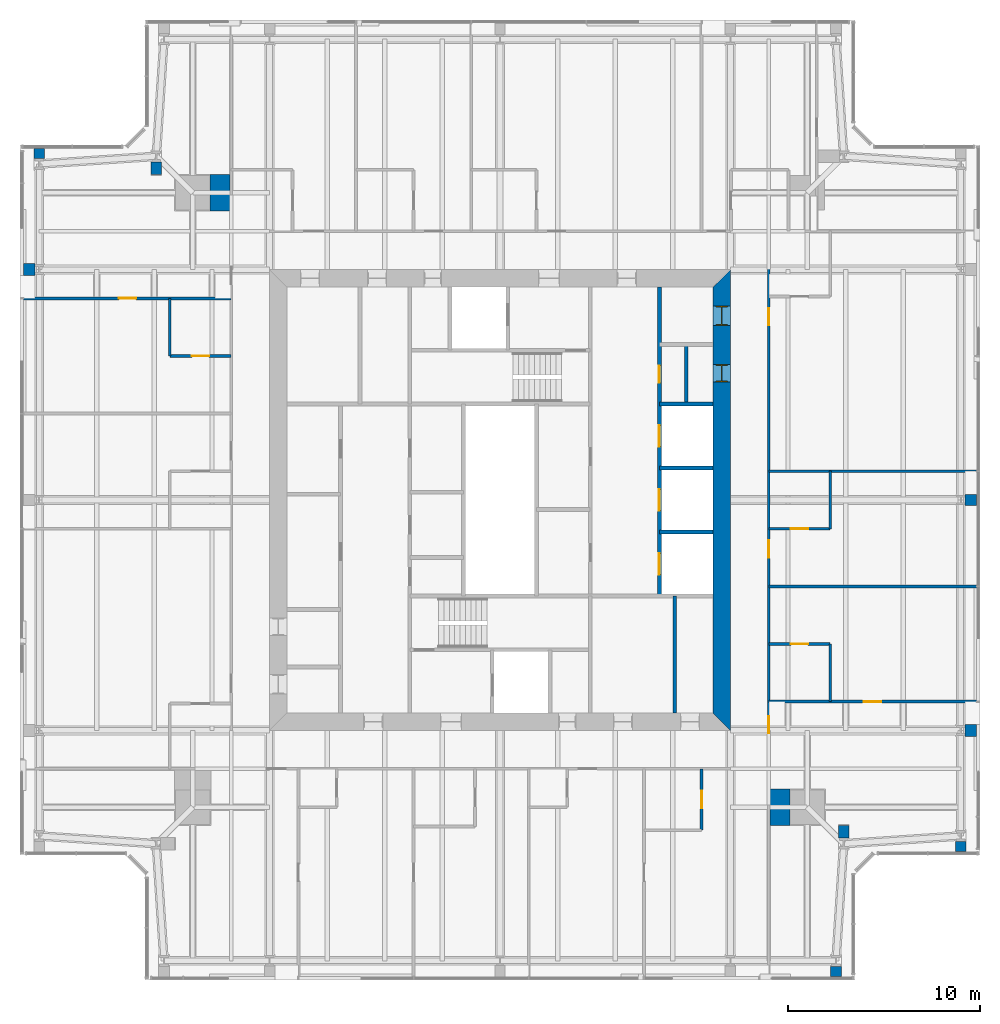
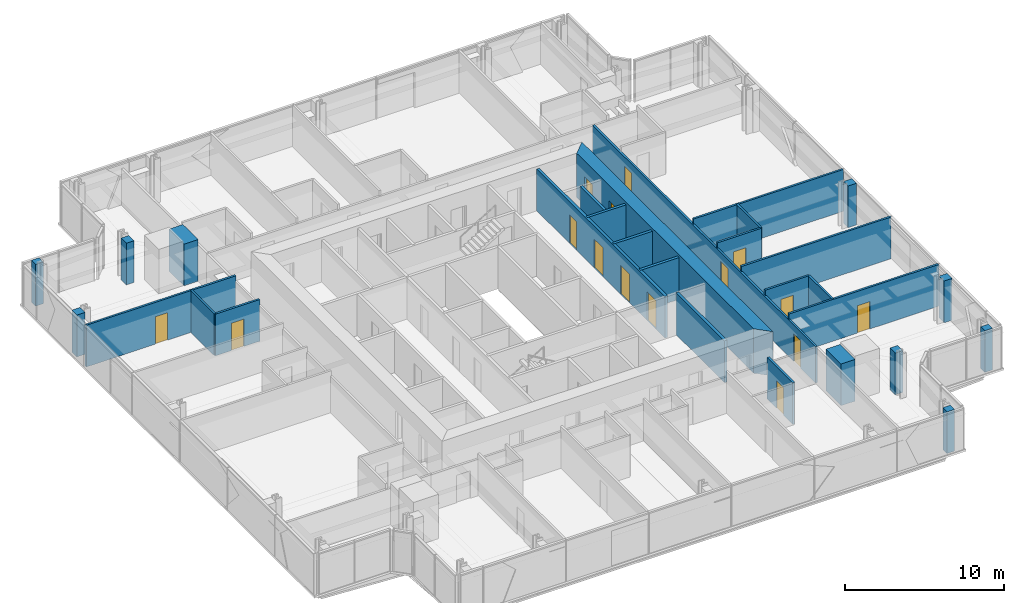
# One storey, part 13 of 18: 29 walls, 15 doors, 15 openings.
"""IFC4 building model written with IfcOpenShell, lengths in metres."""

from ifc_helpers import new_model, si_unit, direction, frame, frame_2d, origin, place, context, subcontext, project, spatial, polyline, rectangle, outline, extrude, material, layer, layer_set, type_object, element, fill, save


model = new_model("IFC4")

# Units and contexts
model_context = context("Model", 3, precision=1e-05, world=origin(), true_north=direction((0.0, 1.0)))
body_context = subcontext(model_context, "Body", "Model", "MODEL_VIEW")
ifc_project = project(units=[si_unit("LENGTHUNIT", "METRE"), si_unit("AREAUNIT", "SQUARE_METRE"), si_unit("VOLUMEUNIT", "CUBIC_METRE"), si_unit("PLANEANGLEUNIT", "RADIAN"), si_unit("MASSUNIT", "GRAM", prefix="KILO")], contexts=[model_context])

# Site, building, storey
site_placement = place(None, origin())
site = spatial("IfcSite", under=ifc_project, at=site_placement, CompositionType="ELEMENT")
building_placement = place(site_placement, origin())
building = spatial("IfcBuilding", under=site, at=building_placement, Name="Fenwick Lantern Interchange", CompositionType="ELEMENT")
storey_placement = place(building_placement, frame((0.0, 0.0, 293.39990234375)))
storey = spatial("IfcBuildingStorey", under=building, at=storey_placement, Name="L71", CompositionType="ELEMENT", Elevation=293.39990234375)

# Walls
ifc_material_1 = material(Name="Fire-rated gypsum board encasement on steel studs, 2 hour", Category="steel")
ifc_layer_1 = layer(ifc_material_1, 1.89990234375)
ifc_layer_set_1 = layer_set([ifc_layer_1], Name="COLUMN PIER 1900")
wall_type_1 = type_object("IfcWallType", Name="COLUMN PIER 1900", PredefinedType="PARTITIONING", material=ifc_layer_set_1)
for number, where, z_axis, x_axis, name in (
    (1, (39.074951171875, 9.0, 0.0), (0.0, 0.0, 1.0), (1.0, 0.0, 0.0), "L71/W/PIER/M2"),
    (2, (10.925048828125, 41.0, 0.0), (0.0, 0.0, 1.0), (-1.0, 0.0, 0.0), "L71/W/PIER/M4"),
):
    element("IfcWall", number, at=place(storey_placement, frame(where, z_axis=z_axis, x_axis=x_axis)), inside=storey, type_object=wall_type_1, Name=name, PredefinedType="PARTITIONING", context=body_context, shape_type="SweptSolid", body=[
        extrude(rectangle(XDim=1.025146484375, YDim=1.89990234375, at=frame_2d((0.5126953125, 0.0))), origin(), (0.0, 0.0, 1.0), 3.2001953125),
    ])
ifc_layer_2 = layer(ifc_material_1, 0.554931640625)
ifc_layer_set_2 = layer_set([ifc_layer_2], Name="COLUMN PIER 555")
wall_type_2 = type_object("IfcWallType", Name="COLUMN PIER 555", PredefinedType="PARTITIONING", material=ifc_layer_set_2)
wall_1_placement = place(storey_placement, frame((42.5, 0.18994140625, 0.0), z_axis=(0.0, 0.0, 1.0), x_axis=(0.0, 1.0, 0.0)))
element("IfcWall", 3, at=wall_1_placement, inside=storey, type_object=wall_type_2, Name="L71/W/PIER/CS5", PredefinedType="PARTITIONING", context=body_context, shape_type="SweptSolid", body=[
    extrude(rectangle(XDim=0.525634765625, YDim=0.554931640625, at=frame_2d((0.2626953125, 0.0))), origin(), (0.0, 0.0, 1.0), 3.2001953125),
])
wall_2_placement = place(storey_placement, frame((42.89990234375, 8.050048828125, 0.0), z_axis=(0.0, 0.0, 1.0), x_axis=(0.0, -1.0, 0.0)))
element("IfcWall", 4, at=wall_2_placement, inside=storey, type_object=wall_type_2, Name="L71/W/PIER/CSR", PredefinedType="PARTITIONING", context=body_context, shape_type="SweptSolid", body=[
    extrude(rectangle(XDim=0.66552734375, YDim=0.554931640625, at=frame_2d((0.332763671875, 0.0))), origin(), (0.0, 0.0, 1.0), 3.2001953125),
])
wall_3_placement = place(storey_placement, frame((49.0, 6.68994140625, 0.0), z_axis=(0.0, 0.0, 1.0), x_axis=(0.0, 1.0, 0.0)))
element("IfcWall", 5, at=wall_3_placement, inside=storey, type_object=wall_type_2, Name="L71/W/PIER/CE1", PredefinedType="PARTITIONING", context=body_context, shape_type="SweptSolid", body=[
    extrude(rectangle(XDim=0.525634765625, YDim=0.554931640625, at=frame_2d((0.2626953125, 0.0))), origin(), (0.0, 0.0, 1.0), 3.2001953125),
])
wall_4_placement = place(storey_placement, frame((7.10009765625, 41.949951171875, 0.0), z_axis=(0.0, 0.0, 1.0), x_axis=(0.0, 1.0, 0.0)))
element("IfcWall", 6, at=wall_4_placement, inside=storey, type_object=wall_type_2, Name="L71/W/PIER/CNR", PredefinedType="PARTITIONING", context=body_context, shape_type="SweptSolid", body=[
    extrude(rectangle(XDim=0.66552734375, YDim=0.554931640625, at=frame_2d((0.332763671875, 0.0))), origin(), (0.0, 0.0, 1.0), 3.2001953125),
])
wall_5_placement = place(storey_placement, frame((1.0, 43.31005859375, 0.0), z_axis=(0.0, 0.0, 1.0), x_axis=(0.0, -1.0, 0.0)))
element("IfcWall", 7, at=wall_5_placement, inside=storey, type_object=wall_type_2, Name="L71/W/PIER/CW1", PredefinedType="PARTITIONING", context=body_context, shape_type="SweptSolid", body=[
    extrude(rectangle(XDim=0.525634765625, YDim=0.554931640625, at=frame_2d((0.2626953125, 0.0))), origin(), (0.0, 0.0, 1.0), 3.2001953125),
])
ifc_layer_3 = layer(ifc_material_1, 0.574951171875)
ifc_layer_set_3 = layer_set([ifc_layer_3], Name="COLUMN PIER 575")
wall_type_3 = type_object("IfcWallType", Name="COLUMN PIER 575", PredefinedType="PARTITIONING", material=ifc_layer_set_3)
wall_6_placement = place(storey_placement, frame((49.81005859375, 25.0, 0.0), z_axis=(0.0, 0.0, 1.0), x_axis=(-1.0, 0.0, 0.0)))
element("IfcWall", 8, at=wall_6_placement, inside=storey, type_object=wall_type_3, Name="L71/W/PIER/CE3", PredefinedType="PARTITIONING", context=body_context, shape_type="SweptSolid", body=[
    extrude(rectangle(XDim=0.597900390625, YDim=0.574951171875, at=frame_2d((0.298828125, 0.0))), origin(), (0.0, 0.0, 1.0), 3.2001953125),
])
ifc_layer_4 = layer(ifc_material_1, 0.631103515625)
ifc_layer_set_4 = layer_set([ifc_layer_4], Name="COLUMN PIER 631")
wall_type_4 = type_object("IfcWallType", Name="COLUMN PIER 631", PredefinedType="PARTITIONING", material=ifc_layer_set_4)
for number, where, z_axis, x_axis, name in (
    (9, (49.81005859375, 13.0, 0.0), (0.0, 0.0, 1.0), (-1.0, 0.0, 0.0), "L71/W/PIER/CE2"),
    (10, (0.18994140625, 37.0, 0.0), (0.0, 0.0, 1.0), (1.0, 0.0, 0.0), "L71/W/PIER/CW2"),
):
    element("IfcWall", number, at=place(storey_placement, frame(where, z_axis=z_axis, x_axis=x_axis)), inside=storey, type_object=wall_type_4, Name=name, PredefinedType="PARTITIONING", context=body_context, shape_type="SweptSolid", body=[
        extrude(rectangle(XDim=0.589111328125, YDim=0.631103515625, at=frame_2d((0.29443359375, 0.0))), origin(), (0.0, 0.0, 1.0), 3.2001953125),
    ])
ifc_material_2 = material(Name="Concrete masonry ASTM C90 Grade N", Category="masonry")
ifc_layer_5 = layer(ifc_material_2, 0.199951171875)
ifc_layer_set_5 = layer_set([ifc_layer_5], Name="Concrete masonry ASTM C90 Grade N")
wall_type_5 = type_object("IfcWallType", Name="CORE PARTITION 200", PredefinedType="PARTITIONING", material=ifc_layer_set_5)
wall_7_placement = place(storey_placement, frame((34.10009765625, 13.89990234375, 0.0), z_axis=(0.0, 0.0, 1.0), x_axis=(0.0, 1.0, 0.0)))
element("IfcWall", 11, at=wall_7_placement, inside=storey, type_object=wall_type_5, Name="L71/W/CORES/i2", PredefinedType="PARTITIONING", context=body_context, shape_type="SweptSolid", body=[
    extrude(rectangle(XDim=6.10009765625, YDim=0.199951171875, at=frame_2d((3.050048828125, 0.0))), origin(), (0.0, 0.0, 1.0), 3.2001953125),
])

# Wall, openings, doors
wall_8_placement = place(storey_placement, frame((33.300048828125, 36.10009765625, 0.0), z_axis=(0.0, 0.0, 1.0), x_axis=(0.0, -1.0, 0.0)))
wall_8 = element("IfcWall", 12, at=wall_8_placement, inside=storey, type_object=wall_type_5, Name="L71/W/COREN/a", PredefinedType="PARTITIONING", context=body_context, shape_type="SweptSolid", body=[
    extrude(rectangle(XDim=16.10009765625, YDim=0.199951171875, at=frame_2d((8.050048828125, 0.0))), origin(), (0.0, 0.0, 1.0), 3.2001953125),
])
opening_1_placement = place(wall_8_placement, frame((4.10009765625, 0.0, 0.0)))
opening_1 = element("IfcOpeningElement", 13, at=opening_1_placement, cuts=wall_8, Name="Opening L71-D021", PredefinedType="OPENING", context=body_context, shape_type="SweptSolid", body=[
    extrude(rectangle(XDim=0.89990234375, YDim=2.199951171875, at=frame_2d((0.449951171875, 1.10009765625))), frame((0.0, 0.10986328125, 0.0), z_axis=(0.0, -1.0, 0.0), x_axis=(1.0, 0.0, 0.0)), (0.0, 0.0, 1.0), 0.219970703125),
])
opening_2_placement = place(wall_8_placement, frame((7.216552734375, 0.0, 0.0)))
opening_2 = element("IfcOpeningElement", 14, at=opening_2_placement, cuts=wall_8, Name="Opening LD-E1-1", PredefinedType="OPENING", context=body_context, shape_type="SweptSolid", body=[
    extrude(rectangle(XDim=1.10009765625, YDim=2.199951171875, at=frame_2d((0.550048828125, 1.10009765625))), frame((0.0, 0.10986328125, 0.0), z_axis=(0.0, -1.0, 0.0), x_axis=(1.0, 0.0, 0.0)), (0.0, 0.0, 1.0), 0.219970703125),
])
opening_3_placement = place(wall_8_placement, frame((10.550048828125, 0.0, 0.0)))
opening_3 = element("IfcOpeningElement", 15, at=opening_3_placement, cuts=wall_8, Name="Opening LD-E1-2", PredefinedType="OPENING", context=body_context, shape_type="SweptSolid", body=[
    extrude(rectangle(XDim=1.10009765625, YDim=2.199951171875, at=frame_2d((0.550048828125, 1.10009765625))), frame((0.0, 0.10986328125, 0.0), z_axis=(0.0, -1.0, 0.0), x_axis=(1.0, 0.0, 0.0)), (0.0, 0.0, 1.0), 0.219970703125),
])
opening_4_placement = place(wall_8_placement, frame((13.88330078125, 0.0, 0.0)))
opening_4 = element("IfcOpeningElement", 16, at=opening_4_placement, cuts=wall_8, Name="Opening LD-E1-3", PredefinedType="OPENING", context=body_context, shape_type="SweptSolid", body=[
    extrude(rectangle(XDim=1.10009765625, YDim=2.199951171875, at=frame_2d((0.550048828125, 1.10009765625))), frame((0.0, 0.10986328125, 0.0), z_axis=(0.0, -1.0, 0.0), x_axis=(1.0, 0.0, 0.0)), (0.0, 0.0, 1.0), 0.219970703125),
])
ifc_material_3 = material(Name="Steel door and frame", Category="steel")
door_type_1 = type_object("IfcDoorType", Name="LIFT LANDING DOOR 1100 X 2200", OperationType="DOUBLE_DOOR_SLIDING", PredefinedType="DOOR", material=ifc_material_3)
door_1_placement = place(opening_2_placement, origin())
door_1 = element("IfcDoor", 17, at=door_1_placement, inside=storey, type_object=door_type_1, Name="Lift landing door E1-1", OperationType="DOUBLE_DOOR_SLIDING", OverallHeight=2.199951171875, OverallWidth=1.10009765625, PredefinedType="DOOR", context=body_context, shape_type="SweptSolid", body=[
    extrude(rectangle(XDim=1.10009765625, YDim=2.199951171875, at=frame_2d((0.550048828125, 1.10009765625))), frame((0.0, 0.02490234375, 0.0), z_axis=(0.0, -1.0, 0.0), x_axis=(1.0, 0.0, 0.0)), (0.0, 0.0, 1.0), 0.050048828125),
])
fill(opening_2, door_1)
door_2_placement = place(opening_3_placement, origin())
door_2 = element("IfcDoor", 18, at=door_2_placement, inside=storey, type_object=door_type_1, Name="Lift landing door E1-2", OperationType="DOUBLE_DOOR_SLIDING", OverallHeight=2.199951171875, OverallWidth=1.10009765625, PredefinedType="DOOR", context=body_context, shape_type="SweptSolid", body=[
    extrude(rectangle(XDim=1.10009765625, YDim=2.199951171875, at=frame_2d((0.550048828125, 1.10009765625))), frame((0.0, 0.02490234375, 0.0), z_axis=(0.0, -1.0, 0.0), x_axis=(1.0, 0.0, 0.0)), (0.0, 0.0, 1.0), 0.050048828125),
])
fill(opening_3, door_2)
door_3_placement = place(opening_4_placement, origin())
door_3 = element("IfcDoor", 19, at=door_3_placement, inside=storey, type_object=door_type_1, Name="Lift landing door E1-3", OperationType="DOUBLE_DOOR_SLIDING", OverallHeight=2.199951171875, OverallWidth=1.10009765625, PredefinedType="DOOR", context=body_context, shape_type="SweptSolid", body=[
    extrude(rectangle(XDim=1.10009765625, YDim=2.199951171875, at=frame_2d((0.550048828125, 1.10009765625))), frame((0.0, 0.02490234375, 0.0), z_axis=(0.0, -1.0, 0.0), x_axis=(1.0, 0.0, 0.0)), (0.0, 0.0, 1.0), 0.050048828125),
])
fill(opening_4, door_3)
door_type_2 = type_object("IfcDoorType", Name="SERVICE DOOR 900 X 2200", OperationType="SINGLE_SWING_LEFT", PredefinedType="DOOR", material=ifc_material_3)
door_4_placement = place(opening_1_placement, origin())
door_4 = element("IfcDoor", 20, at=door_4_placement, inside=storey, type_object=door_type_2, Name="Service door", OperationType="SINGLE_SWING_LEFT", OverallHeight=2.199951171875, OverallWidth=0.89990234375, PredefinedType="DOOR", context=body_context, shape_type="SweptSolid", body=[
    extrude(rectangle(XDim=0.89990234375, YDim=2.199951171875, at=frame_2d((0.449951171875, 1.10009765625))), frame((0.0, 0.02490234375, 0.0), z_axis=(0.0, -1.0, 0.0), x_axis=(1.0, 0.0, 0.0)), (0.0, 0.0, 1.0), 0.050048828125),
])
fill(opening_1, door_4)

# Walls
for number, where, z_axis, x_axis, name in (
    (21, (36.10009765625, 30.0, 0.0), (0.0, 0.0, 1.0), (-1.0, 0.0, 0.0), "L71/W/COREN/c2"),
    (22, (36.10009765625, 26.666748046875, 0.0), (0.0, 0.0, 1.0), (-1.0, 0.0, 0.0), "L71/W/COREN/d1"),
    (23, (36.10009765625, 23.333251953125, 0.0), (0.0, 0.0, 1.0), (-1.0, 0.0, 0.0), "L71/W/COREN/d2"),
):
    element("IfcWall", number, at=place(storey_placement, frame(where, z_axis=z_axis, x_axis=x_axis)), inside=storey, type_object=wall_type_5, Name=name, PredefinedType="PARTITIONING", context=body_context, shape_type="SweptSolid", body=[
        extrude(rectangle(XDim=2.800048828125, YDim=0.199951171875, at=frame_2d((1.39990234375, 0.0))), origin(), (0.0, 0.0, 1.0), 3.2001953125),
    ])
wall_9_placement = place(storey_placement, frame((34.699951171875, 33.10009765625, 0.0), z_axis=(0.0, 0.0, 1.0), x_axis=(0.0, -1.0, 0.0)))
element("IfcWall", 24, at=wall_9_placement, inside=storey, type_object=wall_type_5, Name="L71/W/COREN/px", PredefinedType="PARTITIONING", context=body_context, shape_type="SweptSolid", body=[
    extrude(rectangle(XDim=3.10009765625, YDim=0.199951171875, at=frame_2d((1.550048828125, 0.0))), origin(), (0.0, 0.0, 1.0), 3.2001953125),
])

# Wall, openings, doors
ifc_material_4 = material(Name="Concrete f'c 70 MPa", Category="concrete")
ifc_layer_6 = layer(ifc_material_4, 0.89990234375)
ifc_layer_set_6 = layer_set([ifc_layer_6], Name="CORE WALL 900")
wall_type_6 = type_object("IfcWallType", Name="CORE WALL 900", PredefinedType="SHEAR", material=ifc_layer_set_6)
wall_10_placement = place(storey_placement, frame((36.550048828125, 13.89990234375, 0.0), z_axis=(0.0, 0.0, 1.0), x_axis=(0.0, 1.0, 0.0)))
wall_10 = element("IfcWall", 25, at=wall_10_placement, inside=storey, type_object=wall_type_6, Name="L71/CORE/E", PredefinedType="SHEAR", context=body_context, shape_type="SweptSolid", body=[
    extrude(outline(polyline([(-0.89990234375, -0.449951171875), (23.10009765625, -0.449951171875), (22.199951171875, 0.449951171875), (0.0, 0.449951171875), (-0.89990234375, -0.449951171875)])), origin(), (0.0, 0.0, 1.0), 3.400146484375),
])
opening_5_placement = place(wall_10_placement, frame((20.199951171875, 0.0, 0.0)))
opening_5 = element("IfcOpeningElement", 26, at=opening_5_placement, cuts=wall_10, Name="Opening L71-D020", PredefinedType="OPENING", context=body_context, shape_type="SweptSolid", body=[
    extrude(rectangle(XDim=1.0, YDim=2.199951171875, at=frame_2d((0.5, 1.10009765625))), frame((0.0, 0.4599609375, 0.0), z_axis=(0.0, -1.0, 0.0), x_axis=(1.0, 0.0, 0.0)), (0.0, 0.0, 1.0), 0.919921875),
])
opening_6_placement = place(wall_10_placement, frame((17.25, 0.0, 0.0)))
opening_6 = element("IfcOpeningElement", 27, at=opening_6_placement, cuts=wall_10, Name="Opening L71-D022", PredefinedType="OPENING", context=body_context, shape_type="SweptSolid", body=[
    extrude(rectangle(XDim=0.89990234375, YDim=2.199951171875, at=frame_2d((0.449951171875, 1.10009765625))), frame((0.0, 0.4599609375, 0.0), z_axis=(0.0, -1.0, 0.0), x_axis=(1.0, 0.0, 0.0)), (0.0, 0.0, 1.0), 0.919921875),
])
door_5_placement = place(opening_6_placement, origin())
door_5 = element("IfcDoor", 28, at=door_5_placement, inside=storey, type_object=door_type_2, Name="Service door", OperationType="SINGLE_SWING_RIGHT", OverallHeight=2.199951171875, OverallWidth=0.89990234375, PredefinedType="DOOR", context=body_context, shape_type="SweptSolid", body=[
    extrude(rectangle(XDim=0.89990234375, YDim=2.199951171875, at=frame_2d((0.449951171875, 1.10009765625))), frame((0.0, 0.02490234375, 0.0), z_axis=(0.0, -1.0, 0.0), x_axis=(1.0, 0.0, 0.0)), (0.0, 0.0, 1.0), 0.050048828125),
    extrude(outline(polyline([(0.0, 0.0), (0.0400390625, 0.0), (0.0400390625, 2.159912109375), (0.85986328125, 2.159912109375), (0.85986328125, 0.0), (0.89990234375, 0.0), (0.89990234375, 2.199951171875), (0.0, 2.199951171875), (0.0, 0.0)])), frame((0.0, 0.300048828125, 0.0), z_axis=(0.0, -1.0, 0.0), x_axis=(1.0, 0.0, 0.0)), (0.0, 0.0, 1.0), 0.60009765625),
])
fill(opening_6, door_5)
ifc_material_5 = material(Name="Hardwood door and steel frame", Category="steel")
door_type_3 = type_object("IfcDoorType", Name="WC DOOR 1000 X 2200", OperationType="SINGLE_SWING_LEFT", PredefinedType="DOOR", material=ifc_material_5)
door_6_placement = place(opening_5_placement, origin())
door_6 = element("IfcDoor", 29, at=door_6_placement, inside=storey, type_object=door_type_3, Name="Wc door", OperationType="SINGLE_SWING_LEFT", OverallHeight=2.199951171875, OverallWidth=1.0, PredefinedType="DOOR", context=body_context, shape_type="SweptSolid", body=[
    extrude(rectangle(XDim=1.0, YDim=2.199951171875, at=frame_2d((0.5, 1.10009765625))), frame((0.0, 0.02490234375, 0.0), z_axis=(0.0, -1.0, 0.0), x_axis=(1.0, 0.0, 0.0)), (0.0, 0.0, 1.0), 0.050048828125),
    extrude(outline(polyline([(0.0, 0.0), (0.0400390625, 0.0), (0.0400390625, 2.159912109375), (0.9599609375, 2.159912109375), (0.9599609375, 0.0), (1.0, 0.0), (1.0, 2.199951171875), (0.0, 2.199951171875), (0.0, 0.0)])), frame((0.0, 0.300048828125, 0.0), z_axis=(0.0, -1.0, 0.0), x_axis=(1.0, 0.0, 0.0)), (0.0, 0.0, 1.0), 0.60009765625),
])
fill(opening_5, door_6)

ifc_material_6 = material(Name="Gypsum board on steel studs, 1 hour", Category="steel")
ifc_layer_7 = layer(ifc_material_6, 0.14990234375)
ifc_layer_set_7 = layer_set([ifc_layer_7], Name="CORRIDOR WALL 150")
wall_type_7 = type_object("IfcWallType", Name="CORRIDOR WALL 150", PredefinedType="PARTITIONING", material=ifc_layer_set_7)
wall_11_placement = place(storey_placement, frame((39.0, 11.0, 0.0), z_axis=(0.0, 0.0, 1.0), x_axis=(0.0, 1.0, 0.0)))
wall_11 = element("IfcWall", 30, at=wall_11_placement, inside=storey, type_object=wall_type_7, Name="L71/W/HOTEL/E/CW", PredefinedType="PARTITIONING", context=body_context, shape_type="SweptSolid", body=[
    extrude(rectangle(XDim=28.0, YDim=0.14990234375, at=frame_2d((14.0, 0.0))), origin(), (0.0, 0.0, 1.0), 2.793701171875),
])
opening_7_placement = place(wall_11_placement, frame((1.85009765625, 0.0, 0.0)))
opening_7 = element("IfcOpeningElement", 31, at=opening_7_placement, cuts=wall_11, Name="Opening L71-D034", PredefinedType="OPENING", context=body_context, shape_type="SweptSolid", body=[
    extrude(rectangle(XDim=0.89990234375, YDim=2.10009765625, at=frame_2d((0.449951171875, 1.050048828125))), frame((0.0, 0.0849609375, 0.0), z_axis=(0.0, -1.0, 0.0), x_axis=(1.0, 0.0, 0.0)), (0.0, 0.0, 1.0), 0.169921875),
])
opening_8_placement = place(wall_11_placement, frame((11.0, 0.0, 0.0)))
opening_8 = element("IfcOpeningElement", 32, at=opening_8_placement, cuts=wall_11, Name="Opening L71-D038", PredefinedType="OPENING", context=body_context, shape_type="SweptSolid", body=[
    extrude(rectangle(XDim=0.89990234375, YDim=2.10009765625, at=frame_2d((0.449951171875, 1.050048828125))), frame((0.0, 0.0849609375, 0.0), z_axis=(0.0, -1.0, 0.0), x_axis=(1.0, 0.0, 0.0)), (0.0, 0.0, 1.0), 0.169921875),
])
opening_9_placement = place(wall_11_placement, frame((23.10009765625, 0.0, 0.0)))
opening_9 = element("IfcOpeningElement", 33, at=opening_9_placement, cuts=wall_11, Name="Opening L71-D040", PredefinedType="OPENING", context=body_context, shape_type="SweptSolid", body=[
    extrude(rectangle(XDim=0.89990234375, YDim=2.10009765625, at=frame_2d((0.449951171875, 1.050048828125))), frame((0.0, 0.0849609375, 0.0), z_axis=(0.0, -1.0, 0.0), x_axis=(1.0, 0.0, 0.0)), (0.0, 0.0, 1.0), 0.169921875),
])
door_type_4 = type_object("IfcDoorType", Name="GUEST ROOM DOOR 900 X 2100", OperationType="SINGLE_SWING_LEFT", PredefinedType="DOOR", material=ifc_material_3)
door_7_placement = place(opening_7_placement, frame((0.89990234375, 0.0, 0.0), z_axis=(0.0, 0.0, 1.0), x_axis=(-1.0, 0.0, 0.0)))
door_7 = element("IfcDoor", 34, at=door_7_placement, inside=storey, type_object=door_type_4, Name="Guest room door", OperationType="SINGLE_SWING_LEFT", OverallHeight=2.10009765625, OverallWidth=0.89990234375, PredefinedType="DOOR", context=body_context, shape_type="SweptSolid", body=[
    extrude(rectangle(XDim=0.89990234375, YDim=2.10009765625, at=frame_2d((0.449951171875, 1.050048828125))), frame((0.0, 0.02490234375, 0.0), z_axis=(0.0, -1.0, 0.0), x_axis=(1.0, 0.0, 0.0)), (0.0, 0.0, 1.0), 0.050048828125),
])
fill(opening_7, door_7)
door_8_placement = place(opening_8_placement, frame((0.89990234375, 0.0, 0.0), z_axis=(0.0, 0.0, 1.0), x_axis=(-1.0, 0.0, 0.0)))
door_8 = element("IfcDoor", 35, at=door_8_placement, inside=storey, type_object=door_type_4, Name="Guest room door", OperationType="SINGLE_SWING_LEFT", OverallHeight=2.10009765625, OverallWidth=0.89990234375, PredefinedType="DOOR", context=body_context, shape_type="SweptSolid", body=[
    extrude(rectangle(XDim=0.89990234375, YDim=2.10009765625, at=frame_2d((0.449951171875, 1.050048828125))), frame((0.0, 0.02490234375, 0.0), z_axis=(0.0, -1.0, 0.0), x_axis=(1.0, 0.0, 0.0)), (0.0, 0.0, 1.0), 0.050048828125),
])
fill(opening_8, door_8)
door_9_placement = place(opening_9_placement, frame((0.89990234375, 0.0, 0.0), z_axis=(0.0, 0.0, 1.0), x_axis=(-1.0, 0.0, 0.0)))
door_9 = element("IfcDoor", 36, at=door_9_placement, inside=storey, type_object=door_type_4, Name="Guest room door", OperationType="SINGLE_SWING_LEFT", OverallHeight=2.10009765625, OverallWidth=0.89990234375, PredefinedType="DOOR", context=body_context, shape_type="SweptSolid", body=[
    extrude(rectangle(XDim=0.89990234375, YDim=2.10009765625, at=frame_2d((0.449951171875, 1.050048828125))), frame((0.0, 0.02490234375, 0.0), z_axis=(0.0, -1.0, 0.0), x_axis=(1.0, 0.0, 0.0)), (0.0, 0.0, 1.0), 0.050048828125),
])
fill(opening_9, door_9)

# Wall, opening, door
ifc_material_7 = material(Name="Gypsum board on steel studs, moisture resistant", Category="steel")
ifc_layer_8 = layer(ifc_material_7, 0.14990234375)
ifc_layer_set_8 = layer_set([ifc_layer_8], Name="EN-SUITE WALL 150")
wall_type_8 = type_object("IfcWallType", Name="EN-SUITE WALL 150", PredefinedType="PARTITIONING", material=ifc_layer_set_8)
wall_12_placement = place(storey_placement, frame((35.5, 7.800048828125, 0.0), z_axis=(0.0, 0.0, 1.0), x_axis=(0.0, 1.0, 0.0)))
wall_12 = element("IfcWall", 37, at=wall_12_placement, inside=storey, type_object=wall_type_8, Name="L71/W/HOTEL/S/U2BX", PredefinedType="PARTITIONING", context=body_context, shape_type="SweptSolid", body=[
    extrude(rectangle(XDim=3.199951171875, YDim=0.14990234375, at=frame_2d((1.60009765625, 0.0))), origin(), (0.0, 0.0, 1.0), 3.2001953125),
])
opening_10_placement = place(wall_12_placement, frame((1.14990234375, 0.0, 0.0)))
opening_10 = element("IfcOpeningElement", 38, at=opening_10_placement, cuts=wall_12, Name="Opening L71-D032", PredefinedType="OPENING", context=body_context, shape_type="SweptSolid", body=[
    extrude(rectangle(XDim=0.89990234375, YDim=2.10009765625, at=frame_2d((0.449951171875, 1.050048828125))), frame((0.0, 0.0849609375, 0.0), z_axis=(0.0, -1.0, 0.0), x_axis=(1.0, 0.0, 0.0)), (0.0, 0.0, 1.0), 0.169921875),
])
door_type_5 = type_object("IfcDoorType", Name="EN-SUITE DOOR 900 X 2100", OperationType="SINGLE_SWING_LEFT", PredefinedType="DOOR", material=ifc_material_5)
door_10_placement = place(opening_10_placement, origin())
door_10 = element("IfcDoor", 39, at=door_10_placement, inside=storey, type_object=door_type_5, Name="En-suite door", OperationType="SINGLE_SWING_LEFT", OverallHeight=2.10009765625, OverallWidth=0.89990234375, PredefinedType="DOOR", context=body_context, shape_type="SweptSolid", body=[
    extrude(rectangle(XDim=0.89990234375, YDim=2.10009765625, at=frame_2d((0.449951171875, 1.050048828125))), frame((0.0, 0.02490234375, 0.0), z_axis=(0.0, -1.0, 0.0), x_axis=(1.0, 0.0, 0.0)), (0.0, 0.0, 1.0), 0.050048828125),
])
fill(opening_10, door_10)

# Wall
wall_13_placement = place(storey_placement, frame((42.199951171875, 14.5, 0.0), z_axis=(0.0, 0.0, 1.0), x_axis=(0.0, 1.0, 0.0)))
element("IfcWall", 40, at=wall_13_placement, inside=storey, type_object=wall_type_8, Name="L71/W/HOTEL/E/U1BW", PredefinedType="PARTITIONING", context=body_context, shape_type="SweptSolid", body=[
    extrude(rectangle(XDim=3.0, YDim=0.14990234375, at=frame_2d((1.5, 0.0))), origin(), (0.0, 0.0, 1.0), 3.2001953125),
])

# Wall, opening, door
wall_14_placement = place(storey_placement, frame((42.199951171875, 17.5, 0.0), z_axis=(0.0, 0.0, 1.0), x_axis=(-1.0, 0.0, 0.0)))
wall_14 = element("IfcWall", 41, at=wall_14_placement, inside=storey, type_object=wall_type_8, Name="L71/W/HOTEL/E/U1BX", PredefinedType="PARTITIONING", context=body_context, shape_type="SweptSolid", body=[
    extrude(rectangle(XDim=3.199951171875, YDim=0.14990234375, at=frame_2d((1.60009765625, 0.0))), origin(), (0.0, 0.0, 1.0), 3.2001953125),
])
opening_11_placement = place(wall_14_placement, frame((1.14990234375, 0.0, 0.0)))
opening_11 = element("IfcOpeningElement", 42, at=opening_11_placement, cuts=wall_14, Name="Opening L71-D035", PredefinedType="OPENING", context=body_context, shape_type="SweptSolid", body=[
    extrude(rectangle(XDim=0.89990234375, YDim=2.10009765625, at=frame_2d((0.449951171875, 1.050048828125))), frame((0.0, 0.0849609375, 0.0), z_axis=(0.0, -1.0, 0.0), x_axis=(1.0, 0.0, 0.0)), (0.0, 0.0, 1.0), 0.169921875),
])
door_11_placement = place(opening_11_placement, origin())
door_11 = element("IfcDoor", 43, at=door_11_placement, inside=storey, type_object=door_type_5, Name="En-suite door", OperationType="SINGLE_SWING_LEFT", OverallHeight=2.10009765625, OverallWidth=0.89990234375, PredefinedType="DOOR", context=body_context, shape_type="SweptSolid", body=[
    extrude(rectangle(XDim=0.89990234375, YDim=2.10009765625, at=frame_2d((0.449951171875, 1.050048828125))), frame((0.0, 0.02490234375, 0.0), z_axis=(0.0, -1.0, 0.0), x_axis=(1.0, 0.0, 0.0)), (0.0, 0.0, 1.0), 0.050048828125),
])
fill(opening_11, door_11)

# Wall
wall_15_placement = place(storey_placement, frame((42.199951171875, 23.5, 0.0), z_axis=(0.0, 0.0, 1.0), x_axis=(0.0, 1.0, 0.0)))
element("IfcWall", 44, at=wall_15_placement, inside=storey, type_object=wall_type_8, Name="L71/W/HOTEL/E/U2BW", PredefinedType="PARTITIONING", context=body_context, shape_type="SweptSolid", body=[
    extrude(rectangle(XDim=3.0, YDim=0.14990234375, at=frame_2d((1.5, 0.0))), origin(), (0.0, 0.0, 1.0), 3.2001953125),
])

# Wall, opening, door
wall_16_placement = place(storey_placement, frame((42.199951171875, 23.5, 0.0), z_axis=(0.0, 0.0, 1.0), x_axis=(-1.0, 0.0, 0.0)))
wall_16 = element("IfcWall", 45, at=wall_16_placement, inside=storey, type_object=wall_type_8, Name="L71/W/HOTEL/E/U2BX", PredefinedType="PARTITIONING", context=body_context, shape_type="SweptSolid", body=[
    extrude(rectangle(XDim=3.199951171875, YDim=0.14990234375, at=frame_2d((1.60009765625, 0.0))), origin(), (0.0, 0.0, 1.0), 3.2001953125),
])
opening_12_placement = place(wall_16_placement, frame((1.14990234375, 0.0, 0.0)))
opening_12 = element("IfcOpeningElement", 46, at=opening_12_placement, cuts=wall_16, Name="Opening L71-D037", PredefinedType="OPENING", context=body_context, shape_type="SweptSolid", body=[
    extrude(rectangle(XDim=0.89990234375, YDim=2.10009765625, at=frame_2d((0.449951171875, 1.050048828125))), frame((0.0, 0.0849609375, 0.0), z_axis=(0.0, -1.0, 0.0), x_axis=(1.0, 0.0, 0.0)), (0.0, 0.0, 1.0), 0.169921875),
])
door_12_placement = place(opening_12_placement, frame((0.89990234375, 0.0, 0.0), z_axis=(0.0, 0.0, 1.0), x_axis=(-1.0, 0.0, 0.0)))
door_12 = element("IfcDoor", 47, at=door_12_placement, inside=storey, type_object=door_type_5, Name="En-suite door", OperationType="SINGLE_SWING_RIGHT", OverallHeight=2.10009765625, OverallWidth=0.89990234375, PredefinedType="DOOR", context=body_context, shape_type="SweptSolid", body=[
    extrude(rectangle(XDim=0.89990234375, YDim=2.10009765625, at=frame_2d((0.449951171875, 1.050048828125))), frame((0.0, 0.02490234375, 0.0), z_axis=(0.0, -1.0, 0.0), x_axis=(1.0, 0.0, 0.0)), (0.0, 0.0, 1.0), 0.050048828125),
])
fill(opening_12, door_12)

# Wall
wall_17_placement = place(storey_placement, frame((7.800048828125, 35.5, 0.0), z_axis=(0.0, 0.0, 1.0), x_axis=(0.0, -1.0, 0.0)))
element("IfcWall", 48, at=wall_17_placement, inside=storey, type_object=wall_type_8, Name="L71/W/HOTEL/W/U1BW", PredefinedType="PARTITIONING", context=body_context, shape_type="SweptSolid", body=[
    extrude(rectangle(XDim=3.0, YDim=0.14990234375, at=frame_2d((1.5, 0.0))), origin(), (0.0, 0.0, 1.0), 3.2001953125),
])

# Wall, opening, door
wall_18_placement = place(storey_placement, frame((7.800048828125, 32.5, 0.0), z_axis=(0.0, 0.0, 1.0), x_axis=(1.0, 0.0, 0.0)))
wall_18 = element("IfcWall", 49, at=wall_18_placement, inside=storey, type_object=wall_type_8, Name="L71/W/HOTEL/W/U1BX", PredefinedType="PARTITIONING", context=body_context, shape_type="SweptSolid", body=[
    extrude(rectangle(XDim=3.199951171875, YDim=0.14990234375, at=frame_2d((1.60009765625, 0.0))), origin(), (0.0, 0.0, 1.0), 3.2001953125),
])
opening_13_placement = place(wall_18_placement, frame((1.14990234375, 0.0, 0.0)))
opening_13 = element("IfcOpeningElement", 50, at=opening_13_placement, cuts=wall_18, Name="Opening L71-D051", PredefinedType="OPENING", context=body_context, shape_type="SweptSolid", body=[
    extrude(rectangle(XDim=0.89990234375, YDim=2.10009765625, at=frame_2d((0.449951171875, 1.050048828125))), frame((0.0, 0.0849609375, 0.0), z_axis=(0.0, -1.0, 0.0), x_axis=(1.0, 0.0, 0.0)), (0.0, 0.0, 1.0), 0.169921875),
])
door_13_placement = place(opening_13_placement, origin())
door_13 = element("IfcDoor", 51, at=door_13_placement, inside=storey, type_object=door_type_5, Name="En-suite door", OperationType="SINGLE_SWING_LEFT", OverallHeight=2.10009765625, OverallWidth=0.89990234375, PredefinedType="DOOR", context=body_context, shape_type="SweptSolid", body=[
    extrude(rectangle(XDim=0.89990234375, YDim=2.10009765625, at=frame_2d((0.449951171875, 1.050048828125))), frame((0.0, 0.02490234375, 0.0), z_axis=(0.0, -1.0, 0.0), x_axis=(1.0, 0.0, 0.0)), (0.0, 0.0, 1.0), 0.050048828125),
])
fill(opening_13, door_13)

# Walls
ifc_material_8 = material(Name="Gypsum board on steel studs, 1 hour acoustic", Category="steel")
ifc_layer_9 = layer(ifc_material_8, 0.14990234375)
ifc_layer_set_9 = layer_set([ifc_layer_9], Name="PARTY WALL 150")
wall_type_9 = type_object("IfcWallType", Name="PARTY WALL 150", PredefinedType="PARTITIONING", material=ifc_layer_set_9)
for number, where, z_axis, x_axis, name in (
    (52, (49.85009765625, 20.5, 0.0), (0.0, 0.0, 1.0), (-1.0, 0.0, 0.0), "L71/W/HOTEL/E/U2PW"),
    (53, (49.85009765625, 26.5, 0.0), (0.0, 0.0, 1.0), (-1.0, 0.0, 0.0), "L71/W/HOTEL/E/U3PW"),
):
    element("IfcWall", number, at=place(storey_placement, frame(where, z_axis=z_axis, x_axis=x_axis)), inside=storey, type_object=wall_type_9, Name=name, PredefinedType="PARTITIONING", context=body_context, shape_type="SweptSolid", body=[
        extrude(rectangle(XDim=10.85009765625, YDim=0.14990234375, at=frame_2d((5.425048828125, 0.0))), origin(), (0.0, 0.0, 1.0), 3.2001953125),
    ])

# Wall, opening, door
ifc_material_9 = material(Name="Gypsum board on steel studs, acoustic", Category="steel")
ifc_layer_10 = layer(ifc_material_9, 0.14990234375)
ifc_layer_set_10 = layer_set([ifc_layer_10], Name="SUITE PARTITION 150")
wall_type_10 = type_object("IfcWallType", Name="SUITE PARTITION 150", PredefinedType="PARTITIONING", material=ifc_layer_set_10)
wall_19_placement = place(storey_placement, frame((49.85009765625, 14.5, 0.0), z_axis=(0.0, 0.0, 1.0), x_axis=(-1.0, 0.0, 0.0)))
wall_19 = element("IfcWall", 54, at=wall_19_placement, inside=storey, type_object=wall_type_10, Name="L71/W/HOTEL/E/U1P", PredefinedType="PARTITIONING", context=body_context, shape_type="SweptSolid", body=[
    extrude(rectangle(XDim=10.85009765625, YDim=0.14990234375, at=frame_2d((5.425048828125, 0.0))), origin(), (0.0, 0.0, 1.0), 3.2001953125),
])
opening_14_placement = place(wall_19_placement, frame((5.0, 0.0, 0.0)))
opening_14 = element("IfcOpeningElement", 55, at=opening_14_placement, cuts=wall_19, Name="Opening L71-D036", PredefinedType="OPENING", context=body_context, shape_type="SweptSolid", body=[
    extrude(rectangle(XDim=0.89990234375, YDim=2.10009765625, at=frame_2d((0.449951171875, 1.050048828125))), frame((0.0, 0.0849609375, 0.0), z_axis=(0.0, -1.0, 0.0), x_axis=(1.0, 0.0, 0.0)), (0.0, 0.0, 1.0), 0.169921875),
])
door_type_6 = type_object("IfcDoorType", Name="SUITE INTERNAL DOOR 900 X 2100", OperationType="SINGLE_SWING_LEFT", PredefinedType="DOOR", material=ifc_material_5)
door_14_placement = place(opening_14_placement, frame((0.89990234375, 0.0, 0.0), z_axis=(0.0, 0.0, 1.0), x_axis=(-1.0, 0.0, 0.0)))
door_14 = element("IfcDoor", 56, at=door_14_placement, inside=storey, type_object=door_type_6, Name="Suite internal door", OperationType="SINGLE_SWING_LEFT", OverallHeight=2.10009765625, OverallWidth=0.89990234375, PredefinedType="DOOR", context=body_context, shape_type="SweptSolid", body=[
    extrude(rectangle(XDim=0.89990234375, YDim=2.10009765625, at=frame_2d((0.449951171875, 1.050048828125))), frame((0.0, 0.02490234375, 0.0), z_axis=(0.0, -1.0, 0.0), x_axis=(1.0, 0.0, 0.0)), (0.0, 0.0, 1.0), 0.050048828125),
])
fill(opening_14, door_14)

wall_20_placement = place(storey_placement, frame((0.14990234375, 35.5, 0.0), z_axis=(0.0, 0.0, 1.0), x_axis=(1.0, 0.0, 0.0)))
wall_20 = element("IfcWall", 57, at=wall_20_placement, inside=storey, type_object=wall_type_10, Name="L71/W/HOTEL/W/U1P", PredefinedType="PARTITIONING", context=body_context, shape_type="SweptSolid", body=[
    extrude(rectangle(XDim=10.85009765625, YDim=0.14990234375, at=frame_2d((5.425048828125, 0.0))), origin(), (0.0, 0.0, 1.0), 3.2001953125),
])
opening_15_placement = place(wall_20_placement, frame((5.0, 0.0, 0.0)))
opening_15 = element("IfcOpeningElement", 58, at=opening_15_placement, cuts=wall_20, Name="Opening L71-D052", PredefinedType="OPENING", context=body_context, shape_type="SweptSolid", body=[
    extrude(rectangle(XDim=0.89990234375, YDim=2.10009765625, at=frame_2d((0.449951171875, 1.050048828125))), frame((0.0, 0.0849609375, 0.0), z_axis=(0.0, -1.0, 0.0), x_axis=(1.0, 0.0, 0.0)), (0.0, 0.0, 1.0), 0.169921875),
])
door_15_placement = place(opening_15_placement, frame((0.89990234375, 0.0, 0.0), z_axis=(0.0, 0.0, 1.0), x_axis=(-1.0, 0.0, 0.0)))
door_15 = element("IfcDoor", 59, at=door_15_placement, inside=storey, type_object=door_type_6, Name="Suite internal door", OperationType="SINGLE_SWING_LEFT", OverallHeight=2.10009765625, OverallWidth=0.89990234375, PredefinedType="DOOR", context=body_context, shape_type="SweptSolid", body=[
    extrude(rectangle(XDim=0.89990234375, YDim=2.10009765625, at=frame_2d((0.449951171875, 1.050048828125))), frame((0.0, 0.02490234375, 0.0), z_axis=(0.0, -1.0, 0.0), x_axis=(1.0, 0.0, 0.0)), (0.0, 0.0, 1.0), 0.050048828125),
])
fill(opening_15, door_15)

save(model, "model.ifc")
